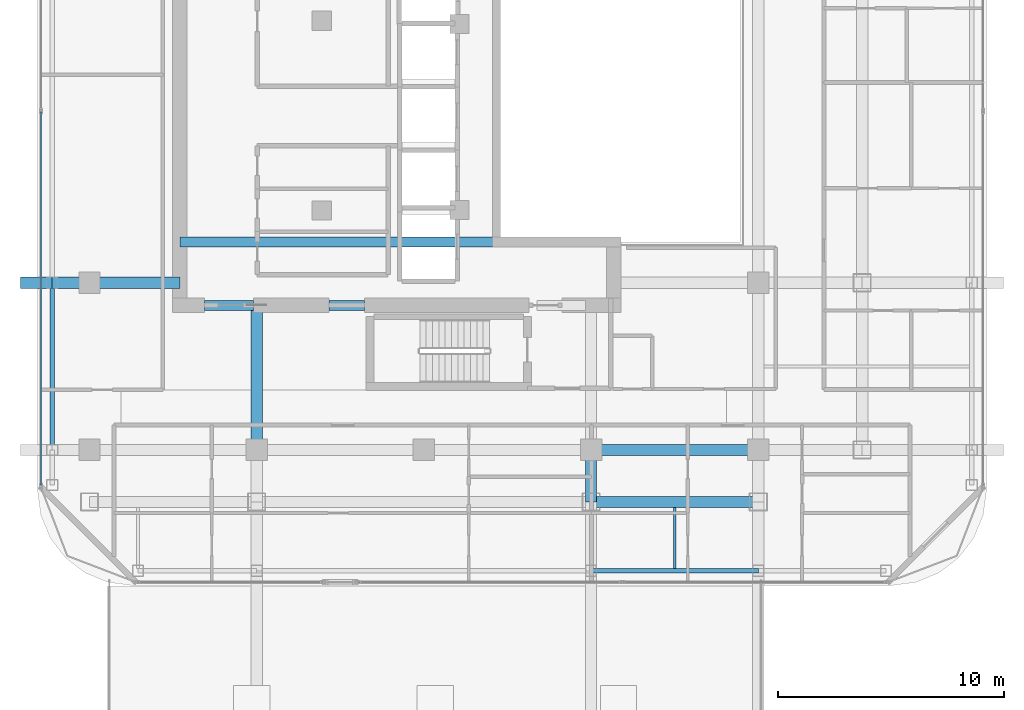
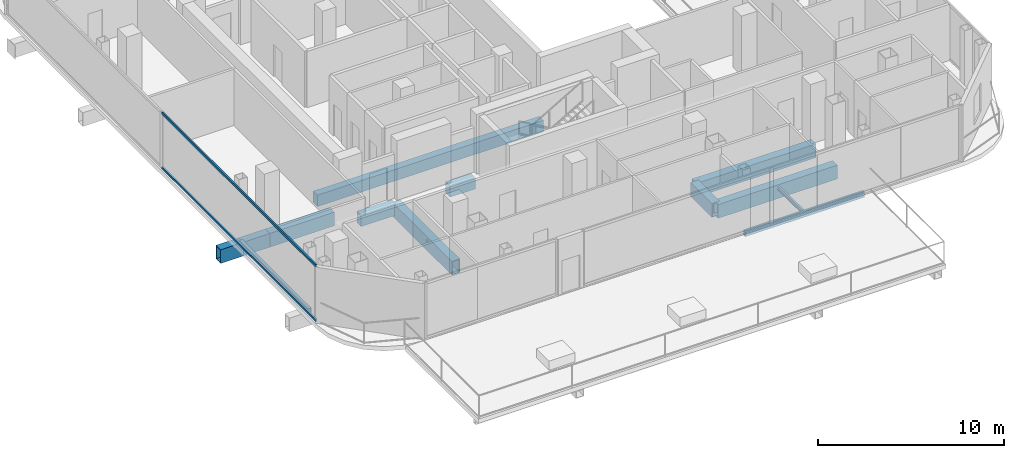
# One storey, part 5 of 25: 13 beams, 2 members, 1 element without a shape of its own.
"""IFC4 building model written with IfcOpenShell, lengths in metres."""

import ifcopenshell
import ifcopenshell.guid

model = None  # the IFC model being written
_history = None  # IfcOwnerHistory: only IFC2X3 demands one
_inside = {}  # id of a spatial element -> (the spatial element, [elements in it])
_under = {}  # id of a project, library or spatial element -> (it, [spatial elements below it])
_declared = {}  # id of a project -> (the project, [libraries it declares])
_typed = {}  # id of a type object -> (the type object, [elements of that type])
_made_of = {}  # id of a material, layer set ... -> (it, [elements and type objects made of it])


def new_model(schema):
    """Start an empty IFC model of exactly this schema.

    Asked for "IFC4X3", IfcOpenShell would pick the latest addendum, in which some entities
    have other attributes; the version numbers below select the first issue.
    IFC2X3 requires an IfcOwnerHistory on every rooted entity: one is made here for all.
    """
    global model, _history
    if schema == "IFC4X3":
        model = ifcopenshell.file(schema_version=(4, 3, 0, 0))
    else:
        model = ifcopenshell.file(schema=schema)
    _inside.clear()
    _under.clear()
    _declared.clear()
    _typed.clear()
    _made_of.clear()
    _history = None
    if model.schema == "IFC2X3":
        org = make("IfcOrganization", Name="unknown")
        user = make(
            "IfcPersonAndOrganization",
            ThePerson=make("IfcPerson", FamilyName="unknown"),
            TheOrganization=org,
        )
        app = make(
            "IfcApplication",
            ApplicationDeveloper=org,
            Version="unknown",
            ApplicationFullName="unknown",
            ApplicationIdentifier="unknown",
        )
        _history = make(
            "IfcOwnerHistory",
            OwningUser=user,
            OwningApplication=app,
            ChangeAction="ADDED",
            CreationDate=0,
        )
    return model


def make(cls, **values):
    """One entity of the class cls with the attributes given. An attribute that is None is left unset."""
    return model.create_entity(
        cls, **{name: value for name, value in values.items() if value is not None}
    )


def rooted(cls, **values):
    """An entity with a GlobalId (a new one), such as an element, a storey or a relation."""
    return make(cls, GlobalId=ifcopenshell.guid.new(), OwnerHistory=_history, **values)


def si_unit(unit_type, name, prefix=None):
    """IfcSIUnit, for example si_unit("LENGTHUNIT", "METRE", prefix="MILLI")."""
    return make("IfcSIUnit", UnitType=unit_type, Prefix=prefix, Name=name)


def assignment(units):
    """IfcUnitAssignment: the units of a project."""
    return None if units is None else make("IfcUnitAssignment", Units=units)


def point(xyz):
    """IfcCartesianPoint."""
    return None if xyz is None else make("IfcCartesianPoint", Coordinates=xyz)


def direction(xyz):
    """IfcDirection."""
    return None if xyz is None else make("IfcDirection", DirectionRatios=xyz)


def frame(location, z_axis=None, x_axis=None):
    """IfcAxis2Placement3D, a coordinate frame: its origin and axes. An axis left out is left unset."""
    return make(
        "IfcAxis2Placement3D",
        Location=point(location),
        Axis=direction(z_axis),
        RefDirection=direction(x_axis),
    )


def frame_2d(location, x_axis=None):
    """IfcAxis2Placement2D, a coordinate frame in the plane: its origin and x axis."""
    return make(
        "IfcAxis2Placement2D", Location=point(location), RefDirection=direction(x_axis)
    )


def origin():
    """The frame at (0, 0, 0) with its axes left unset."""
    return frame((0.0, 0.0, 0.0))


def origin_2d():
    """The frame at (0, 0) in the plane with its x axis left unset."""
    return frame_2d((0.0, 0.0))


def place(relative_to, where):
    """IfcLocalPlacement: puts the frame where relative to a parent placement (None: the world)."""
    return make(
        "IfcLocalPlacement", PlacementRelTo=relative_to, RelativePlacement=where
    )


def context(
    kind, dimensions, precision=None, world=None, true_north=None, identifier=None
):
    """IfcGeometricRepresentationContext, for example the 3D "Model" context."""
    return make(
        "IfcGeometricRepresentationContext",
        ContextIdentifier=identifier,
        ContextType=kind,
        CoordinateSpaceDimension=dimensions,
        Precision=precision,
        WorldCoordinateSystem=world,
        TrueNorth=true_north,
    )


def subcontext(parent, identifier, kind, view, scale=None):
    """IfcGeometricRepresentationSubContext, for example "Body" below "Model"."""
    return make(
        "IfcGeometricRepresentationSubContext",
        ContextIdentifier=identifier,
        ContextType=kind,
        ParentContext=parent,
        TargetScale=scale,
        TargetView=view,
    )


def project(units=None, contexts=None):
    """IfcProject with its units and contexts."""
    return rooted(
        "IfcProject",
        Name="project",
        RepresentationContexts=contexts,
        UnitsInContext=assignment(units),
    )


def spatial(cls, under=None, at=None, **own):
    """A site, building, storey or space (cls), placed at a placement, below another one or the project."""
    s = rooted(cls, ObjectPlacement=at, **own)
    if under is not None:
        _under.setdefault(under.id(), (under, []))[1].append(s)
    return s


def profile(cls, at=None, kind="AREA", **sizes):
    """A parametric profile (cls). Its sizes go by their IFC names, for example OverallWidth=200.0."""
    return make(cls, ProfileType=kind, Position=at, **sizes)


def rectangle(**sizes):
    """IfcRectangleProfileDef."""
    return profile("IfcRectangleProfileDef", **sizes)


def hollow_rectangle(**sizes):
    """IfcRectangleHollowProfileDef."""
    return profile("IfcRectangleHollowProfileDef", **sizes)


def i_section(**sizes):
    """IfcIShapeProfileDef."""
    return profile("IfcIShapeProfileDef", **sizes)


def extrude(swept, where, along, depth):
    """IfcExtrudedAreaSolid: the profile swept, set in the frame where, extruded along a direction by depth."""
    return make(
        "IfcExtrudedAreaSolid",
        SweptArea=swept,
        Position=where,
        ExtrudedDirection=direction(along),
        Depth=depth,
    )


def shape(context_of_items, identifier, shape_type, items):
    """IfcShapeRepresentation: the items that make up one representation, for example the "Body"."""
    return make(
        "IfcShapeRepresentation",
        ContextOfItems=context_of_items,
        RepresentationIdentifier=identifier,
        RepresentationType=shape_type,
        Items=items,
    )


def material(Name=None, Category=None):
    """IfcMaterial."""
    return make("IfcMaterial", Name=Name, Category=Category)


def layer(
    of_material, thickness, ventilated=None, Name=None, Category=None, Priority=None
):
    """IfcMaterialLayer: one layer of a wall or slab, of a material (None: an air gap)."""
    return make(
        "IfcMaterialLayer",
        Material=of_material,
        LayerThickness=thickness,
        IsVentilated=ventilated,
        Name=Name,
        Category=Category,
        Priority=Priority,
    )


def layer_set(layers, Name=None):
    """IfcMaterialLayerSet."""
    return make("IfcMaterialLayerSet", MaterialLayers=layers, LayerSetName=Name)


def material_profile(
    of_material, cross_section, Name=None, Category=None, Priority=None
):
    """IfcMaterialProfile: a cross section and its material."""
    return make(
        "IfcMaterialProfile",
        Name=Name,
        Material=of_material,
        Profile=cross_section,
        Priority=Priority,
        Category=Category,
    )


def profile_set(profiles, Name=None, composite=None):
    """IfcMaterialProfileSet."""
    return make(
        "IfcMaterialProfileSet",
        Name=Name,
        MaterialProfiles=profiles,
        CompositeProfile=composite,
    )


def made_of(thing, what):
    """Note that an element or type object is made of a material, layer set ...; save() writes the relation."""
    if what is not None:
        _made_of.setdefault(what.id(), (what, []))[1].append(thing)
    return thing


def type_object(cls, material=None, **own):
    """A type object (cls), such as IfcWallType, which elements share."""
    return made_of(rooted(cls, **own), material)


def element(
    cls,
    number,
    at=None,
    inside=None,
    cuts=None,
    type_object=None,
    material=None,
    context=None,
    identifier="Body",
    shape_type=None,
    held_by="IfcProductDefinitionShape",
    body=None,
    shapes=None,
    **own,
):
    """One element of the class cls, such as IfcWall. Its Tag is "e" and its number.

    at: its placement. inside: the storey or other place that contains it. cuts: it is an
    opening in that element (IfcRelVoidsElement). A single representation is given by context,
    identifier, shape_type and body (its items); several are given by shapes. held_by: the class
    of the entity that holds the representations. save() writes the other relations.
    """
    e = rooted(cls, Tag="e%d" % number, ObjectPlacement=at, **own)
    if body is not None:
        shapes = [shape(context, identifier, shape_type, body)]
    if shapes is not None:
        e.Representation = make(held_by, Representations=shapes)
    if inside is not None:
        _inside.setdefault(inside.id(), (inside, []))[1].append(e)
    if cuts is not None:
        rooted(
            "IfcRelVoidsElement", RelatingBuildingElement=cuts, RelatedOpeningElement=e
        )
    if type_object is not None:
        _typed.setdefault(type_object.id(), (type_object, []))[1].append(e)
    return made_of(e, material)


def aggregate(whole, parts):
    """IfcRelAggregates: a whole, such as a stair, and the parts it consists of."""
    return rooted("IfcRelAggregates", RelatingObject=whole, RelatedObjects=parts)


def save(model, path):
    """Write the relations noted so far, then the file.

    IfcRelAggregates (storeys below a building ...), IfcRelContainedInSpatialStructure (elements
    in a storey), IfcRelDefinesByType, IfcRelAssociatesMaterial and IfcRelDeclares: one each for
    every whole, place, type object, material and project.
    """
    for whole, parts in _under.values():
        aggregate(whole, parts)
    for where, things in _inside.values():
        rooted(
            "IfcRelContainedInSpatialStructure",
            RelatedElements=things,
            RelatingStructure=where,
        )
    for kind, things in _typed.values():
        rooted("IfcRelDefinesByType", RelatedObjects=things, RelatingType=kind)
    for what, things in _made_of.values():
        rooted("IfcRelAssociatesMaterial", RelatedObjects=things, RelatingMaterial=what)
    for by, libraries in _declared.values():
        rooted("IfcRelDeclares", RelatingContext=by, RelatedDefinitions=libraries)
    model.write(path)


model = new_model("IFC4")

# Units and contexts
model_context = context("Model", 3, precision=1e-05, world=origin(), true_north=direction((0.0, 1.0)))
body_context = subcontext(model_context, "Body", "Model", "MODEL_VIEW")
ifc_project = project(units=[si_unit("LENGTHUNIT", "METRE"), si_unit("AREAUNIT", "SQUARE_METRE"), si_unit("VOLUMEUNIT", "CUBIC_METRE"), si_unit("PLANEANGLEUNIT", "RADIAN"), si_unit("MASSUNIT", "GRAM", prefix="KILO")], contexts=[model_context])

# Site, building, storey
site_placement = place(None, origin())
site = spatial("IfcSite", under=ifc_project, at=site_placement, CompositionType="ELEMENT")
building_placement = place(site_placement, origin())
building = spatial("IfcBuilding", under=site, at=building_placement, Name="Khorvyn Point Tower", CompositionType="ELEMENT")
storey_placement = place(building_placement, frame((0.0, 0.0, 254.699951171875)))
storey = spatial("IfcBuildingStorey", under=building, at=storey_placement, Name="L62", CompositionType="ELEMENT", Elevation=254.699951171875)

# Curtain wall, members
ifc_material_1 = material(Name="Anodised aluminium 6063-T6 and laminated Low-E glass", Category="aluminium")
ifc_layer = layer(ifc_material_1, 0.18994140625)
ifc_layer_set = layer_set([ifc_layer], Name="Stick-Built High-Wind Curtain Wall CW-SYS-04")
curtain_wall_type = type_object("IfcCurtainWallType", Name="Stick-Built High-Wind Curtain Wall CW-SYS-04", PredefinedType="NOTDEFINED", material=ifc_layer_set)
curtain_wall_placement = place(storey_placement, origin())
curtain_wall = element("IfcCurtainWall", 1, at=curtain_wall_placement, inside=storey, type_object=curtain_wall_type, Name="Curtain Wall", PredefinedType="NOTDEFINED")
ifc_material_2 = material(Name="Anodised aluminium 6063-T6", Category="aluminium")
ifc_material_profile_1 = material_profile(ifc_material_2, hollow_rectangle(XDim=0.10009765625, YDim=0.159912109375, WallThickness=0.00439453125, at=origin_2d()))
ifc_profile_set_1 = profile_set([ifc_material_profile_1], Name="Anodised aluminium 6063-T6 ALU-TRN-100x160")
member_type = type_object("IfcMemberType", Name="Anodised Aluminium 6063-T6 Transom ALU-TRN-100x160", PredefinedType="USERDEFINED", material=ifc_profile_set_1)
member_1_placement = place(storey_placement, frame((-16.949951171875, -16.35009765625, 0.050048828125), z_axis=(0.0, 1.0, 0.0), x_axis=(-1.0, 0.0, 0.0)))
member_1 = element("IfcMember", 2, at=member_1_placement, type_object=member_type, Name="Transom", ObjectType="TRANSOM", PredefinedType="USERDEFINED", context=body_context, shape_type="SweptSolid", body=[
    extrude(hollow_rectangle(XDim=0.10009765625, YDim=0.159912109375, WallThickness=0.00439453125, at=origin_2d()), origin(), (0.0, 0.0, 1.0), 16.5),
])
member_2_placement = place(storey_placement, frame((-16.949951171875, -16.35009765625, 3.630126953125), z_axis=(0.0, 1.0, 0.0), x_axis=(-1.0, 0.0, 0.0)))
member_2 = element("IfcMember", 3, at=member_2_placement, type_object=member_type, Name="Transom", ObjectType="TRANSOM", PredefinedType="USERDEFINED", context=body_context, shape_type="SweptSolid", body=[
    extrude(hollow_rectangle(XDim=0.10009765625, YDim=0.159912109375, WallThickness=0.00439453125, at=origin_2d()), origin(), (0.0, 0.0, 1.0), 16.5),
])
aggregate(curtain_wall, [member_1, member_2])

# Beams
ifc_material_3 = material(Name="Concrete C40/50", Category="concrete")
ifc_material_profile_2 = material_profile(ifc_material_3, rectangle(XDim=0.449951171875, YDim=0.75, at=origin_2d()))
ifc_profile_set_2 = profile_set([ifc_material_profile_2], Name="Concrete C40/50 RC450x750")
beam_type_1 = type_object("IfcBeamType", Name="Concrete C40/50 Beam RC450x750", PredefinedType="BEAM", material=ifc_profile_set_2)
beam_1_placement = place(storey_placement, frame((-10.800048828125, -5.60009765625, -0.655029296875), z_axis=(1.0, 0.0, 0.0), x_axis=(0.0, 1.0, 0.0)))
element("IfcBeam", 4, at=beam_1_placement, inside=storey, type_object=beam_type_1, Name="L62 Core Internal Tie Girder S", PredefinedType="BEAM", context=body_context, shape_type="SweptSolid", body=[
    extrude(rectangle(XDim=0.449951171875, YDim=0.75, at=origin_2d()), origin(), (0.0, 0.0, 1.0), 14.02001953125),
])
beam_2_placement = place(storey_placement, frame((-9.699951171875, -8.39990234375, -0.655029296875), z_axis=(1.0, 0.0, 0.0), x_axis=(0.0, 1.0, 0.0)))
element("IfcBeam", 5, at=beam_2_placement, inside=storey, type_object=beam_type_1, Name="L62 Core Southwest Portal Coupling Beam", PredefinedType="BEAM", context=body_context, shape_type="SweptSolid", body=[
    extrude(rectangle(XDim=0.449951171875, YDim=0.75, at=origin_2d()), origin(), (0.0, 0.0, 1.0), 2.14990234375),
])
beam_3_placement = place(storey_placement, frame((-4.199951171875, -8.39990234375, -0.655029296875), z_axis=(1.0, 0.0, 0.0), x_axis=(0.0, 1.0, 0.0)))
element("IfcBeam", 6, at=beam_3_placement, inside=storey, type_object=beam_type_1, Name="L62 Core Shuttle Portal Coupling Beam", PredefinedType="BEAM", context=body_context, shape_type="SweptSolid", body=[
    extrude(rectangle(XDim=0.449951171875, YDim=0.75, at=origin_2d()), origin(), (0.0, 0.0, 1.0), 1.579833984375),
])
ifc_material_4 = material(Name="Steel S355", Category="steel")
ifc_material_profile_3 = material_profile(ifc_material_4, i_section(OverallWidth=0.125, OverallDepth=0.25, WebThickness=0.006103515625, FlangeThickness=0.009033203125, at=origin_2d()))
ifc_profile_set_3 = profile_set([ifc_material_profile_3], Name="Steel S355 H250x125x6x9")
beam_type_2 = type_object("IfcBeamType", Name="Steel S355 Joist H250x125x6x9", PredefinedType="JOIST", material=ifc_profile_set_3)
beam_4_placement = place(storey_placement, frame((11.10009765625, -20.050048828125, -0.405029296875), z_axis=(0.0, 1.0, 0.0), x_axis=(-1.0, 0.0, 0.0)))
element("IfcBeam", 7, at=beam_4_placement, inside=storey, type_object=beam_type_2, Name="Beam", PredefinedType="JOIST", context=body_context, shape_type="SweptSolid", body=[
    extrude(i_section(OverallWidth=0.125, OverallDepth=0.25, WebThickness=0.006103515625, FlangeThickness=0.009033203125, at=origin_2d()), origin(), (0.0, 0.0, 1.0), 2.699951171875),
])
ifc_material_profile_4 = material_profile(ifc_material_4, hollow_rectangle(XDim=0.199951171875, YDim=0.35009765625, WallThickness=0.013916015625, at=origin_2d()))
ifc_profile_set_4 = profile_set([ifc_material_profile_4], Name="Steel S355 RHS350x200x14")
beam_type_3 = type_object("IfcBeamType", Name="Steel S355 Spandrel RHS350x200x14", PredefinedType="SPANDREL", material=ifc_profile_set_4)
for number, where, z_axis, x_axis, name in (
    (8, (7.39990234375, -20.14990234375, -0.454833984375), (1.0, 0.0, 0.0), (0.0, 1.0, 0.0), "Beam"),
    (9, (-16.449951171875, -14.800048828125, -0.454833984375), (0.0, 1.0, 0.0), (-1.0, 0.0, 0.0), "Beam"),
):
    element("IfcBeam", number, at=place(storey_placement, frame(where, z_axis=z_axis, x_axis=x_axis)), inside=storey, type_object=beam_type_3, Name=name, PredefinedType="SPANDREL", context=body_context, shape_type="SweptSolid", body=[
        extrude(hollow_rectangle(XDim=0.199951171875, YDim=0.35009765625, WallThickness=0.013916015625, at=origin_2d()), origin(), (0.0, 0.0, 1.0), 7.400146484375),
    ])
ifc_material_5 = material(Name="Steel S450", Category="steel")
ifc_material_profile_5 = material_profile(ifc_material_5, hollow_rectangle(XDim=0.5, YDim=0.89990234375, WallThickness=0.0400390625, at=origin_2d()))
ifc_profile_set_5 = profile_set([ifc_material_profile_5], Name="Steel S450 BOX900x500x40")
beam_type_4 = type_object("IfcBeamType", Name="Steel S450 Beam BOX900x500x40", PredefinedType="BEAM", material=ifc_profile_set_5)
beam_5_placement = place(storey_placement, frame((7.39990234375, -14.800048828125, -0.72998046875), z_axis=(1.0, 0.0, 0.0), x_axis=(0.0, 1.0, 0.0)))
element("IfcBeam", 10, at=beam_5_placement, inside=storey, type_object=beam_type_4, Name="L62 Radial Transfer Girder", PredefinedType="BEAM", context=body_context, shape_type="SweptSolid", body=[
    extrude(hollow_rectangle(XDim=0.5, YDim=0.89990234375, WallThickness=0.0400390625, at=origin_2d()), origin(), (0.0, 0.0, 1.0), 7.400146484375),
])
beam_6_placement = place(storey_placement, frame((-17.85009765625, -7.39990234375, -0.72998046875), z_axis=(1.0, 0.0, 0.0), x_axis=(0.0, 1.0, 0.0)))
element("IfcBeam", 11, at=beam_6_placement, inside=storey, type_object=beam_type_4, Name="Beam", PredefinedType="BEAM", context=body_context, shape_type="SweptSolid", body=[
    extrude(hollow_rectangle(XDim=0.5, YDim=0.89990234375, WallThickness=0.0400390625, at=origin_2d()), origin(), (0.0, 0.0, 1.0), 1.400146484375),
])
beam_7_placement = place(storey_placement, frame((-16.449951171875, -7.39990234375, -0.72998046875), z_axis=(1.0, 0.0, 0.0), x_axis=(0.0, 1.0, 0.0)))
element("IfcBeam", 12, at=beam_7_placement, inside=storey, type_object=beam_type_4, Name="Beam", PredefinedType="BEAM", context=body_context, shape_type="SweptSolid", body=[
    extrude(hollow_rectangle(XDim=0.5, YDim=0.89990234375, WallThickness=0.0400390625, at=origin_2d()), origin(), (0.0, 0.0, 1.0), 1.64990234375),
])
beam_8_placement = place(storey_placement, frame((-14.800048828125, -7.39990234375, -0.72998046875), z_axis=(1.0, 0.0, 0.0), x_axis=(0.0, 1.0, 0.0)))
element("IfcBeam", 13, at=beam_8_placement, inside=storey, type_object=beam_type_4, Name="Beam", PredefinedType="BEAM", context=body_context, shape_type="SweptSolid", body=[
    extrude(hollow_rectangle(XDim=0.5, YDim=0.89990234375, WallThickness=0.0400390625, at=origin_2d()), origin(), (0.0, 0.0, 1.0), 4.0),
])
beam_9_placement = place(storey_placement, frame((7.39990234375, -17.10009765625, -0.72998046875), z_axis=(1.0, 0.0, 0.0), x_axis=(0.0, 1.0, 0.0)))
element("IfcBeam", 14, at=beam_9_placement, inside=storey, type_object=beam_type_4, Name="Beam", PredefinedType="BEAM", context=body_context, shape_type="SweptSolid", body=[
    extrude(hollow_rectangle(XDim=0.5, YDim=0.89990234375, WallThickness=0.0400390625, at=origin_2d()), origin(), (0.0, 0.0, 1.0), 7.400146484375),
])
beam_10_placement = place(storey_placement, frame((-7.39990234375, -14.800048828125, -0.72998046875), z_axis=(0.0, 1.0, 0.0), x_axis=(-1.0, 0.0, 0.0)))
element("IfcBeam", 15, at=beam_10_placement, inside=storey, type_object=beam_type_4, Name="Beam", PredefinedType="BEAM", context=body_context, shape_type="SweptSolid", body=[
    extrude(hollow_rectangle(XDim=0.5, YDim=0.89990234375, WallThickness=0.0400390625, at=origin_2d()), origin(), (0.0, 0.0, 1.0), 6.400146484375),
])
beam_11_placement = place(storey_placement, frame((7.39990234375, -17.10009765625, -0.72998046875), z_axis=(0.0, 1.0, 0.0), x_axis=(-1.0, 0.0, 0.0)))
element("IfcBeam", 16, at=beam_11_placement, inside=storey, type_object=beam_type_4, Name="Beam", PredefinedType="BEAM", context=body_context, shape_type="SweptSolid", body=[
    extrude(hollow_rectangle(XDim=0.5, YDim=0.89990234375, WallThickness=0.0400390625, at=origin_2d()), origin(), (0.0, 0.0, 1.0), 2.300048828125),
])

save(model, "model.ifc")
